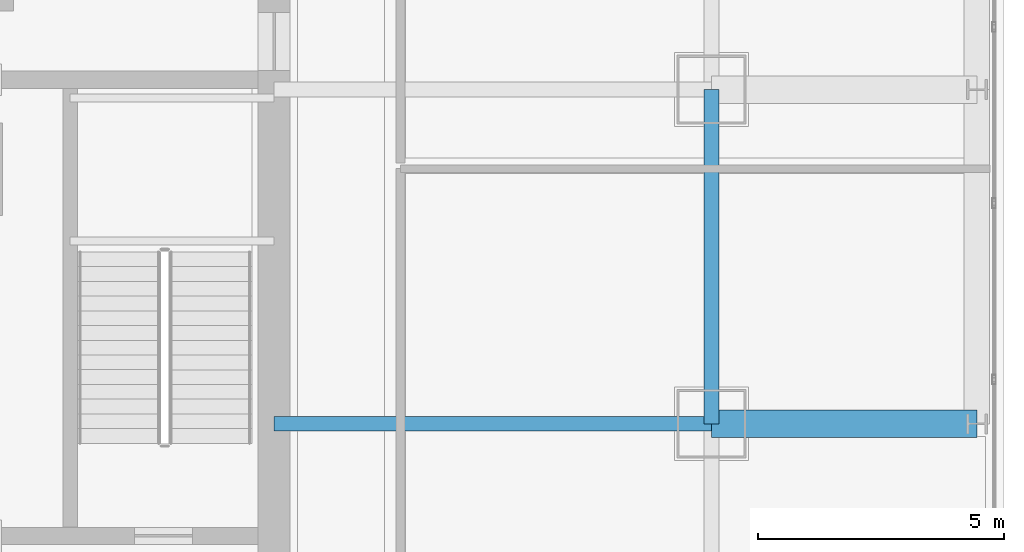
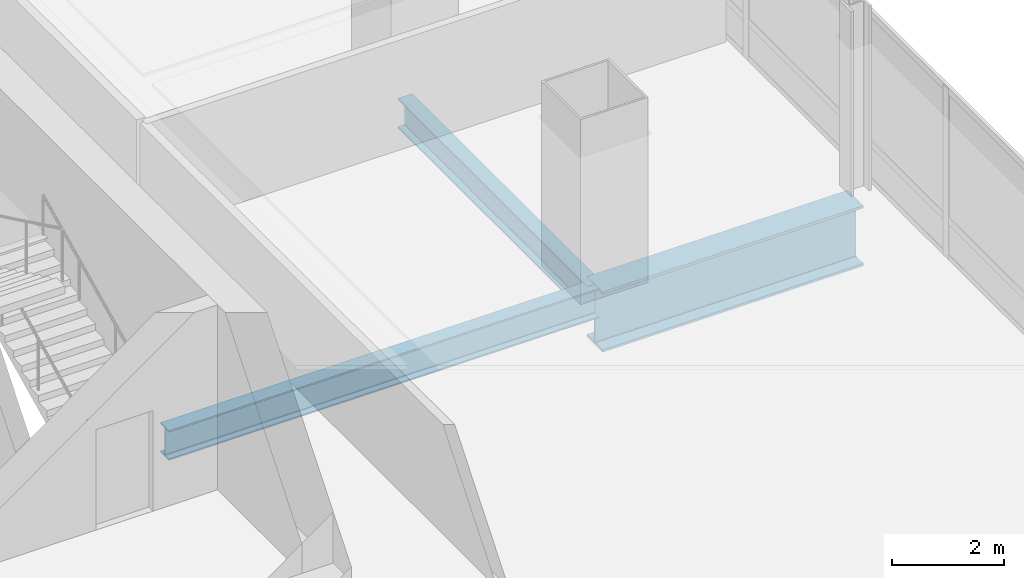
# One storey, part 17 of 35: 3 beams.
"""IFC4 building model written with IfcOpenShell, lengths in metres."""

from ifc_helpers import new_model, si_unit, direction, frame, origin, origin_2d, place, context, subcontext, project, spatial, i_section, extrude, material, material_profile, profile_set, type_object, element, save


model = new_model("IFC4")

# Units and contexts
model_context = context("Model", 3, precision=1e-05, world=origin(), true_north=direction((0.0, 1.0)))
body_context = subcontext(model_context, "Body", "Model", "MODEL_VIEW")
ifc_project = project(units=[si_unit("LENGTHUNIT", "METRE"), si_unit("AREAUNIT", "SQUARE_METRE"), si_unit("VOLUMEUNIT", "CUBIC_METRE"), si_unit("PLANEANGLEUNIT", "RADIAN"), si_unit("MASSUNIT", "GRAM", prefix="KILO")], contexts=[model_context])

# Site, building, storey
site_placement = place(None, origin())
site = spatial("IfcSite", under=ifc_project, at=site_placement, CompositionType="ELEMENT")
building_placement = place(site_placement, origin())
building = spatial("IfcBuilding", under=site, at=building_placement, Name="Punatoya Terracotta Tower", CompositionType="ELEMENT")
storey_placement = place(building_placement, frame((0.0, 0.0, 232.949951171875)))
storey = spatial("IfcBuildingStorey", under=building, at=storey_placement, Name="L55", CompositionType="ELEMENT", Elevation=232.949951171875)

# Beams
ifc_material_1 = material(Name="Steel S355", Category="steel")
ifc_material_profile_1 = material_profile(ifc_material_1, i_section(OverallWidth=0.300048828125, OverallDepth=0.64990234375, WebThickness=0.01611328125, FlangeThickness=0.031005859375, FilletRadius=0.01806640625, at=origin_2d()))
ifc_profile_set_1 = profile_set([ifc_material_profile_1], Name="Steel S355")
beam_type_1 = type_object("IfcBeamType", Name="BM-PRI-650", PredefinedType="BEAM", material=ifc_profile_set_1)
beam_1_placement = place(storey_placement, frame((19.10009765625, -3.39990234375, -0.544921875), z_axis=(0.0, 1.0, 0.0), x_axis=(-1.0, 0.0, 0.0)))
element("IfcBeam", 1, at=beam_1_placement, inside=storey, type_object=beam_type_1, Name="BM-L55-RG-E2", PredefinedType="BEAM", context=body_context, shape_type="SweptSolid", body=[
    extrude(i_section(OverallWidth=0.300048828125, OverallDepth=0.64990234375, WebThickness=0.01611328125, FlangeThickness=0.031005859375, FilletRadius=0.01806640625, at=origin_2d()), origin(), (0.0, 0.0, 1.0), 6.7998046875),
])
beam_2_placement = place(storey_placement, frame((10.199951171875, -3.39990234375, -0.544921875), z_axis=(1.0, 0.0, 0.0), x_axis=(0.0, 1.0, 0.0)))
element("IfcBeam", 2, at=beam_2_placement, inside=storey, type_object=beam_type_1, Name="BM-L55-PR-ED", PredefinedType="BEAM", context=body_context, shape_type="SweptSolid", body=[
    extrude(i_section(OverallWidth=0.300048828125, OverallDepth=0.64990234375, WebThickness=0.01611328125, FlangeThickness=0.031005859375, FilletRadius=0.01806640625, at=origin_2d()), origin(), (0.0, 0.0, 1.0), 8.900146484375),
])
ifc_material_2 = material(Name="Steel S460", Category="steel")
ifc_material_profile_2 = material_profile(ifc_material_2, i_section(OverallWidth=0.56005859375, OverallDepth=1.320068359375, WebThickness=0.035888671875, FlangeThickness=0.054931640625, FilletRadius=0.01806640625, at=origin_2d()))
ifc_profile_set_2 = profile_set([ifc_material_profile_2], Name="Steel S460")
beam_type_2 = type_object("IfcBeamType", Name="BM-TG-BLK", PredefinedType="BEAM", material=ifc_profile_set_2)
beam_3_placement = place(storey_placement, frame((19.10009765625, -3.39990234375, -0.8798828125), z_axis=(1.0, 0.0, 0.0), x_axis=(0.0, 1.0, 0.0)))
element("IfcBeam", 3, at=beam_3_placement, inside=storey, type_object=beam_type_2, Name="BM-L55-CANT-E2", PredefinedType="BEAM", context=body_context, shape_type="SweptSolid", body=[
    extrude(i_section(OverallWidth=0.56005859375, OverallDepth=1.320068359375, WebThickness=0.035888671875, FlangeThickness=0.054931640625, FilletRadius=0.01806640625, at=origin_2d()), origin(), (0.0, 0.0, 1.0), 5.39990234375),
])

save(model, "model.ifc")
